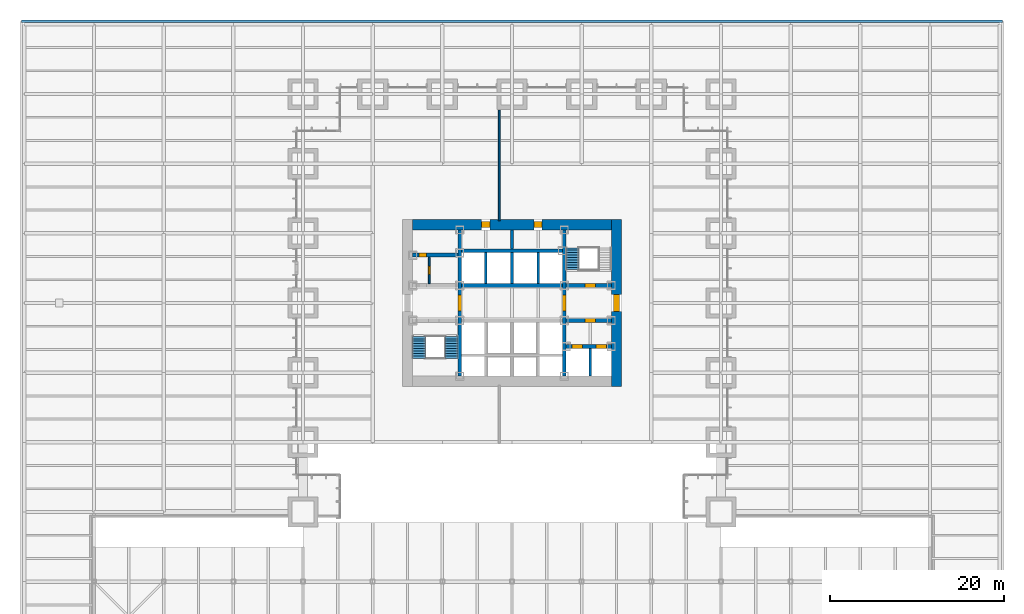
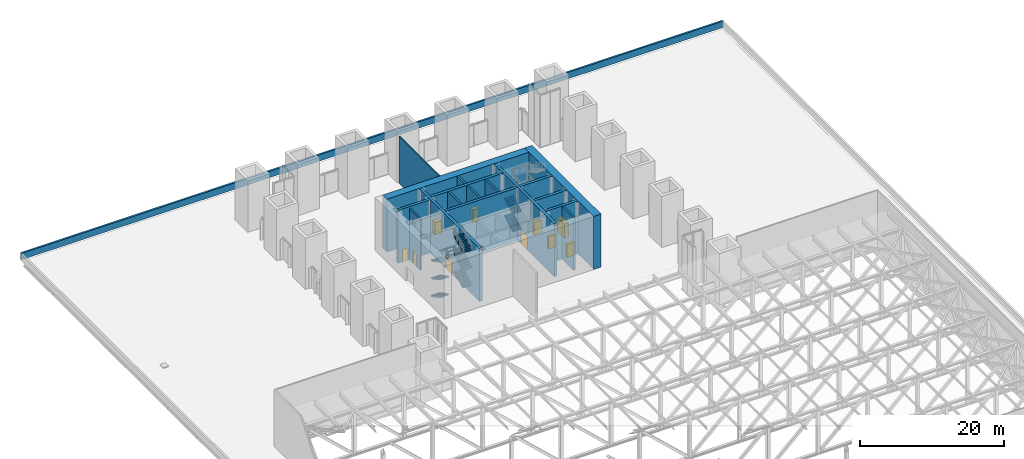
# One storey, part 17 of 20: 18 walls, 11 doors, 8 stair flights, 11 openings, 2 elements without a shape of their own.
"""IFC4 building model written with IfcOpenShell, lengths in metres."""

from ifc_helpers import new_model, si_unit, direction, frame, frame_2d, origin, place, context, subcontext, project, spatial, polyline, rectangle, outline, extrude, material, layer, layer_set, type_object, element, fill, aggregate, save


model = new_model("IFC4")

# Units and contexts
model_context = context("Model", 3, precision=1e-05, world=origin(), true_north=direction((0.0, 1.0)))
body_context = subcontext(model_context, "Body", "Model", "MODEL_VIEW")
ifc_project = project(units=[si_unit("LENGTHUNIT", "METRE"), si_unit("AREAUNIT", "SQUARE_METRE"), si_unit("VOLUMEUNIT", "CUBIC_METRE"), si_unit("PLANEANGLEUNIT", "RADIAN"), si_unit("MASSUNIT", "GRAM", prefix="KILO")], contexts=[model_context])

# Site, building, storey
site_placement = place(None, origin())
site = spatial("IfcSite", under=ifc_project, at=site_placement, CompositionType="ELEMENT")
building_placement = place(site_placement, origin())
building = spatial("IfcBuilding", under=site, at=building_placement, Name="Daluyong Arena Tower", CompositionType="ELEMENT")
storey_placement = place(building_placement, frame((0.0, 0.0, 25.89990234375)))
storey = spatial("IfcBuildingStorey", under=building, at=storey_placement, Name="L05", CompositionType="ELEMENT", Elevation=25.89990234375)

# Wall, opening, door
ifc_material_1 = material(Name="Concrete fc' 45 MPa", Category="concrete")
ifc_layer_1 = layer(ifc_material_1, 0.449951171875)
ifc_layer_set_1 = layer_set([ifc_layer_1], Name="Concrete fc' 45 MPa")
wall_type_1 = type_object("IfcWallType", Name="Core inner wall 450", PredefinedType="SHEAR", material=ifc_layer_set_1)
wall_1_placement = place(storey_placement, frame((50.0, 71.60009765625, 0.0), z_axis=(0.0, 0.0, 1.0), x_axis=(0.0, 1.0, 0.0)))
wall_1 = element("IfcWall", 1, at=wall_1_placement, inside=storey, type_object=wall_type_1, Name="core inner wall at L05", PredefinedType="SHEAR", context=body_context, shape_type="SweptSolid", body=[
    extrude(rectangle(XDim=16.7998046875, YDim=0.449951171875, at=frame_2d((8.39990234375, 0.0))), origin(), (0.0, 0.0, 1.0), 9.0),
])
opening_1_placement = place(wall_1_placement, frame((7.5, 0.0, 0.0)))
opening_1 = element("IfcOpeningElement", 2, at=opening_1_placement, cuts=wall_1, Name="Opening 05010", PredefinedType="OPENING", context=body_context, shape_type="SweptSolid", body=[
    extrude(rectangle(XDim=1.800048828125, YDim=2.39990234375, at=frame_2d((0.89990234375, 1.199951171875))), frame((0.0, 0.23486328125, 0.0), z_axis=(0.0, -1.0, 0.0), x_axis=(1.0, 0.0, 0.0)), (0.0, 0.0, 1.0), 0.469970703125),
])
ifc_material_2 = material(Name="Steel door, fire rated", Category="steel")
door_type_1 = type_object("IfcDoorType", Name="Lift lobby opening door 1800", OperationType="DOUBLE_DOOR_SINGLE_SWING", PredefinedType="DOOR", material=ifc_material_2)
door_1_placement = place(opening_1_placement, origin())
door_1 = element("IfcDoor", 3, at=door_1_placement, inside=storey, type_object=door_type_1, Name="lift lobby door west 05010", OperationType="DOUBLE_DOOR_SINGLE_SWING", OverallHeight=2.39990234375, OverallWidth=1.800048828125, PredefinedType="DOOR", context=body_context, shape_type="SweptSolid", body=[
    extrude(rectangle(XDim=1.800048828125, YDim=2.39990234375, at=frame_2d((0.89990234375, 1.199951171875))), frame((0.0, 0.224609375, 0.0), z_axis=(0.0, -1.0, 0.0), x_axis=(1.0, 0.0, 0.0)), (0.0, 0.0, 1.0), 0.449462890625),
])
fill(opening_1, door_1)

wall_2_placement = place(storey_placement, frame((62.0, 71.60009765625, 0.0), z_axis=(0.0, 0.0, 1.0), x_axis=(0.0, 1.0, 0.0)))
wall_2 = element("IfcWall", 4, at=wall_2_placement, inside=storey, type_object=wall_type_1, Name="core inner wall at L05", PredefinedType="SHEAR", context=body_context, shape_type="SweptSolid", body=[
    extrude(rectangle(XDim=16.7998046875, YDim=0.449951171875, at=frame_2d((8.39990234375, 0.0))), origin(), (0.0, 0.0, 1.0), 9.0),
])
opening_2_placement = place(wall_2_placement, frame((7.5, 0.0, 0.0)))
opening_2 = element("IfcOpeningElement", 5, at=opening_2_placement, cuts=wall_2, Name="Opening 05011", PredefinedType="OPENING", context=body_context, shape_type="SweptSolid", body=[
    extrude(rectangle(XDim=1.800048828125, YDim=2.39990234375, at=frame_2d((0.89990234375, 1.199951171875))), frame((0.0, 0.23486328125, 0.0), z_axis=(0.0, -1.0, 0.0), x_axis=(1.0, 0.0, 0.0)), (0.0, 0.0, 1.0), 0.469970703125),
])
door_2_placement = place(opening_2_placement, origin())
door_2 = element("IfcDoor", 6, at=door_2_placement, inside=storey, type_object=door_type_1, Name="lift lobby door east 05011", OperationType="DOUBLE_DOOR_SINGLE_SWING", OverallHeight=2.39990234375, OverallWidth=1.800048828125, PredefinedType="DOOR", context=body_context, shape_type="SweptSolid", body=[
    extrude(rectangle(XDim=1.800048828125, YDim=2.39990234375, at=frame_2d((0.89990234375, 1.199951171875))), frame((0.0, 0.224609375, 0.0), z_axis=(0.0, -1.0, 0.0), x_axis=(1.0, 0.0, 0.0)), (0.0, 0.0, 1.0), 0.449462890625),
])
fill(opening_2, door_2)

wall_3_placement = place(storey_placement, frame((44.60009765625, 85.5, 0.0), z_axis=(0.0, 0.0, 1.0), x_axis=(1.0, 0.0, 0.0)))
wall_3 = element("IfcWall", 7, at=wall_3_placement, inside=storey, type_object=wall_type_1, Name="core inner wall at L05", PredefinedType="SHEAR", context=body_context, shape_type="SweptSolid", body=[
    extrude(rectangle(XDim=5.1748046875, YDim=0.449951171875, at=frame_2d((2.58740234375, 0.0))), origin(), (0.0, 0.0, 1.0), 9.0),
])
opening_3_placement = place(wall_3_placement, frame((0.699951171875, 0.0, 0.0)))
opening_3 = element("IfcOpeningElement", 8, at=opening_3_placement, cuts=wall_3, Name="Opening 05003", PredefinedType="OPENING", context=body_context, shape_type="SweptSolid", body=[
    extrude(rectangle(XDim=0.89990234375, YDim=2.10009765625, at=frame_2d((0.449951171875, 1.050048828125))), frame((0.0, 0.23486328125, 0.0), z_axis=(0.0, -1.0, 0.0), x_axis=(1.0, 0.0, 0.0)), (0.0, 0.0, 1.0), 0.469970703125),
])
ifc_material_3 = material(Name="Timber door", Category="wood")
door_type_2 = type_object("IfcDoorType", Name="Toilet door 900", OperationType="SINGLE_SWING_RIGHT", PredefinedType="DOOR", material=ifc_material_3)
door_3_placement = place(opening_3_placement, origin())
door_3 = element("IfcDoor", 9, at=door_3_placement, inside=storey, type_object=door_type_2, Name="female toilet door 05003", OperationType="SINGLE_SWING_RIGHT", OverallHeight=2.10009765625, OverallWidth=0.89990234375, PredefinedType="DOOR", context=body_context, shape_type="SweptSolid", body=[
    extrude(rectangle(XDim=0.89990234375, YDim=2.10009765625, at=frame_2d((0.449951171875, 1.050048828125))), frame((0.0, 0.224609375, 0.0), z_axis=(0.0, -1.0, 0.0), x_axis=(1.0, 0.0, 0.0)), (0.0, 0.0, 1.0), 0.449462890625),
])
fill(opening_3, door_3)

# Wall, openings, doors
wall_4_placement = place(storey_placement, frame((62.22509765625, 75.0, 0.0), z_axis=(0.0, 0.0, 1.0), x_axis=(1.0, 0.0, 0.0)))
wall_4 = element("IfcWall", 10, at=wall_4_placement, inside=storey, type_object=wall_type_1, Name="core inner wall at L05", PredefinedType="SHEAR", context=body_context, shape_type="SweptSolid", body=[
    extrude(rectangle(XDim=5.1748046875, YDim=0.449951171875, at=frame_2d((2.58740234375, 0.0))), origin(), (0.0, 0.0, 1.0), 9.0),
])
opening_4_placement = place(wall_4_placement, frame((0.675048828125, 0.0, 0.0)))
opening_4 = element("IfcOpeningElement", 11, at=opening_4_placement, cuts=wall_4, Name="Opening 05013", PredefinedType="OPENING", context=body_context, shape_type="SweptSolid", body=[
    extrude(rectangle(XDim=1.199951171875, YDim=2.199951171875, at=frame_2d((0.60009765625, 1.10009765625))), frame((0.0, 0.23486328125, 0.0), z_axis=(0.0, -1.0, 0.0), x_axis=(1.0, 0.0, 0.0)), (0.0, 0.0, 1.0), 0.469970703125),
])
opening_5_placement = place(wall_4_placement, frame((3.425048828125, 0.0, 0.0)))
opening_5 = element("IfcOpeningElement", 12, at=opening_5_placement, cuts=wall_4, Name="Opening 05014", PredefinedType="OPENING", context=body_context, shape_type="SweptSolid", body=[
    extrude(rectangle(XDim=1.199951171875, YDim=2.199951171875, at=frame_2d((0.60009765625, 1.10009765625))), frame((0.0, 0.23486328125, 0.0), z_axis=(0.0, -1.0, 0.0), x_axis=(1.0, 0.0, 0.0)), (0.0, 0.0, 1.0), 0.469970703125),
])
ifc_material_4 = material(Name="Steel door, fire rated", Category="steel")
door_type_3 = type_object("IfcDoorType", Name="Firefighting lift landing door 1200", OperationType="SLIDING_TO_LEFT", PredefinedType="DOOR", material=ifc_material_4)
door_4_placement = place(opening_4_placement, origin())
door_4 = element("IfcDoor", 13, at=door_4_placement, inside=storey, type_object=door_type_3, Name="firefighting lift landing door F1 05013", OperationType="SLIDING_TO_LEFT", OverallHeight=2.199951171875, OverallWidth=1.199951171875, PredefinedType="DOOR", context=body_context, shape_type="SweptSolid", body=[
    extrude(rectangle(XDim=1.199951171875, YDim=2.199951171875, at=frame_2d((0.60009765625, 1.10009765625))), frame((0.0, 0.224609375, 0.0), z_axis=(0.0, -1.0, 0.0), x_axis=(1.0, 0.0, 0.0)), (0.0, 0.0, 1.0), 0.449462890625),
])
fill(opening_4, door_4)
door_5_placement = place(opening_5_placement, origin())
door_5 = element("IfcDoor", 14, at=door_5_placement, inside=storey, type_object=door_type_3, Name="firefighting lift landing door F2 05014", OperationType="SLIDING_TO_LEFT", OverallHeight=2.199951171875, OverallWidth=1.199951171875, PredefinedType="DOOR", context=body_context, shape_type="SweptSolid", body=[
    extrude(rectangle(XDim=1.199951171875, YDim=2.199951171875, at=frame_2d((0.60009765625, 1.10009765625))), frame((0.0, 0.224609375, 0.0), z_axis=(0.0, -1.0, 0.0), x_axis=(1.0, 0.0, 0.0)), (0.0, 0.0, 1.0), 0.449462890625),
])
fill(opening_5, door_5)

# Wall, opening, door
wall_5_placement = place(storey_placement, frame((62.22509765625, 78.0, 0.0), z_axis=(0.0, 0.0, 1.0), x_axis=(1.0, 0.0, 0.0)))
wall_5 = element("IfcWall", 15, at=wall_5_placement, inside=storey, type_object=wall_type_1, Name="core inner wall at L05", PredefinedType="SHEAR", context=body_context, shape_type="SweptSolid", body=[
    extrude(rectangle(XDim=5.1748046875, YDim=0.449951171875, at=frame_2d((2.58740234375, 0.0))), origin(), (0.0, 0.0, 1.0), 9.0),
])
opening_6_placement = place(wall_5_placement, frame((2.175048828125, 0.0, 0.0)))
opening_6 = element("IfcOpeningElement", 16, at=opening_6_placement, cuts=wall_5, Name="Opening 05012", PredefinedType="OPENING", context=body_context, shape_type="SweptSolid", body=[
    extrude(rectangle(XDim=1.199951171875, YDim=2.10009765625, at=frame_2d((0.60009765625, 1.050048828125))), frame((0.0, 0.23486328125, 0.0), z_axis=(0.0, -1.0, 0.0), x_axis=(1.0, 0.0, 0.0)), (0.0, 0.0, 1.0), 0.469970703125),
])
ifc_material_5 = material(Name="Steel door, fire rated", Category="steel")
door_type_4 = type_object("IfcDoorType", Name="Firefighting lobby door 1200", OperationType="SINGLE_SWING_RIGHT", PredefinedType="DOOR", material=ifc_material_5)
door_6_placement = place(opening_6_placement, origin())
door_6 = element("IfcDoor", 17, at=door_6_placement, inside=storey, type_object=door_type_4, Name="firefighting lobby door 05012", OperationType="SINGLE_SWING_RIGHT", OverallHeight=2.10009765625, OverallWidth=1.199951171875, PredefinedType="DOOR", context=body_context, shape_type="SweptSolid", body=[
    extrude(rectangle(XDim=1.199951171875, YDim=2.10009765625, at=frame_2d((0.60009765625, 1.050048828125))), frame((0.0, 0.224609375, 0.0), z_axis=(0.0, -1.0, 0.0), x_axis=(1.0, 0.0, 0.0)), (0.0, 0.0, 1.0), 0.449462890625),
])
fill(opening_6, door_6)

wall_6_placement = place(storey_placement, frame((62.22509765625, 82.0, 0.0), z_axis=(0.0, 0.0, 1.0), x_axis=(1.0, 0.0, 0.0)))
wall_6 = element("IfcWall", 18, at=wall_6_placement, inside=storey, type_object=wall_type_1, Name="core inner wall at L05", PredefinedType="SHEAR", context=body_context, shape_type="SweptSolid", body=[
    extrude(rectangle(XDim=5.1748046875, YDim=0.449951171875, at=frame_2d((2.58740234375, 0.0))), origin(), (0.0, 0.0, 1.0), 9.0),
])
opening_7_placement = place(wall_6_placement, frame((2.175048828125, 0.0, 0.0)))
opening_7 = element("IfcOpeningElement", 19, at=opening_7_placement, cuts=wall_6, Name="Opening 05007", PredefinedType="OPENING", context=body_context, shape_type="SweptSolid", body=[
    extrude(rectangle(XDim=1.199951171875, YDim=2.10009765625, at=frame_2d((0.60009765625, 1.050048828125))), frame((0.0, 0.23486328125, 0.0), z_axis=(0.0, -1.0, 0.0), x_axis=(1.0, 0.0, 0.0)), (0.0, 0.0, 1.0), 0.469970703125),
])
ifc_material_6 = material(Name="Steel door, fire rated", Category="steel")
door_type_5 = type_object("IfcDoorType", Name="Stair door 1200", OperationType="SINGLE_SWING_LEFT", PredefinedType="DOOR", material=ifc_material_6)
door_7_placement = place(opening_7_placement, origin())
door_7 = element("IfcDoor", 20, at=door_7_placement, inside=storey, type_object=door_type_5, Name="stair B door 05007", OperationType="SINGLE_SWING_LEFT", OverallHeight=2.10009765625, OverallWidth=1.199951171875, PredefinedType="DOOR", context=body_context, shape_type="SweptSolid", body=[
    extrude(rectangle(XDim=1.199951171875, YDim=2.10009765625, at=frame_2d((0.60009765625, 1.050048828125))), frame((0.0, 0.224609375, 0.0), z_axis=(0.0, -1.0, 0.0), x_axis=(1.0, 0.0, 0.0)), (0.0, 0.0, 1.0), 0.449462890625),
])
fill(opening_7, door_7)

# Walls
for number, where, z_axis, x_axis, name in (
    (21, (50.22509765625, 82.0, 0.0), (0.0, 0.0, 1.0), (1.0, 0.0, 0.0), "core inner wall at L05"),
    (22, (50.22509765625, 86.0, 0.0), (0.0, 0.0, 1.0), (1.0, 0.0, 0.0), "core inner wall at L05"),
):
    element("IfcWall", number, at=place(storey_placement, frame(where, z_axis=z_axis, x_axis=x_axis)), inside=storey, type_object=wall_type_1, Name=name, PredefinedType="SHEAR", context=body_context, shape_type="SweptSolid", body=[
        extrude(rectangle(XDim=11.5498046875, YDim=0.449951171875, at=frame_2d((5.77490234375, 0.0))), origin(), (0.0, 0.0, 1.0), 9.0),
    ])

# Wall, opening, door
ifc_material_7 = material(Name="Concrete fc' 60 MPa", Category="concrete")
ifc_layer_2 = layer(ifc_material_7, 1.199951171875)
ifc_layer_set_2 = layer_set([ifc_layer_2], Name="Concrete fc' 60 MPa")
wall_type_2 = type_object("IfcWallType", Name="Core wall 1200", PredefinedType="SHEAR", material=ifc_layer_set_2)
wall_7_placement = place(storey_placement, frame((68.0, 70.39990234375, 0.0), z_axis=(0.0, 0.0, 1.0), x_axis=(0.0, 1.0, 0.0)))
wall_7 = element("IfcWall", 23, at=wall_7_placement, inside=storey, type_object=wall_type_2, Name="core wall at L05", PredefinedType="SHEAR", context=body_context, shape_type="SweptSolid", body=[
    extrude(rectangle(XDim=19.2001953125, YDim=1.199951171875, at=frame_2d((9.60009765625, 0.0))), origin(), (0.0, 0.0, 1.0), 9.0),
])
opening_8_placement = place(wall_7_placement, frame((8.60009765625, 0.0, 0.0)))
opening_8 = element("IfcOpeningElement", 24, at=opening_8_placement, cuts=wall_7, Name="Opening 05009", PredefinedType="OPENING", context=body_context, shape_type="SweptSolid", body=[
    extrude(rectangle(XDim=2.0, YDim=2.39990234375, at=frame_2d((1.0, 1.199951171875))), frame((0.0, 0.60986328125, 0.0), z_axis=(0.0, -1.0, 0.0), x_axis=(1.0, 0.0, 0.0)), (0.0, 0.0, 1.0), 1.219970703125),
])
ifc_material_8 = material(Name="Steel door, fire rated", Category="steel")
door_type_6 = type_object("IfcDoorType", Name="Core lobby double door 2000", OperationType="DOUBLE_DOOR_SINGLE_SWING", PredefinedType="DOOR", material=ifc_material_8)
door_8_placement = place(opening_8_placement, origin())
door_8 = element("IfcDoor", 25, at=door_8_placement, inside=storey, type_object=door_type_6, Name="transfer level plant room door 05009", OperationType="DOUBLE_DOOR_SINGLE_SWING", OverallHeight=2.39990234375, OverallWidth=2.0, PredefinedType="DOOR", context=body_context, shape_type="SweptSolid", body=[
    extrude(rectangle(XDim=2.0, YDim=2.39990234375, at=frame_2d((1.0, 1.199951171875))), frame((0.0, 0.35009765625, 0.0), z_axis=(0.0, -1.0, 0.0), x_axis=(1.0, 0.0, 0.0)), (0.0, 0.0, 1.0), 0.699951171875),
])
fill(opening_8, door_8)

# Wall, openings, doors
wall_8_placement = place(storey_placement, frame((44.60009765625, 89.0, 0.0), z_axis=(0.0, 0.0, 1.0), x_axis=(1.0, 0.0, 0.0)))
wall_8 = element("IfcWall", 26, at=wall_8_placement, inside=storey, type_object=wall_type_2, Name="core wall at L05", PredefinedType="SHEAR", context=body_context, shape_type="SweptSolid", body=[
    extrude(rectangle(XDim=22.7998046875, YDim=1.199951171875, at=frame_2d((11.39990234375, 0.0))), origin(), (0.0, 0.0, 1.0), 9.0),
])
opening_9_placement = place(wall_8_placement, frame((7.89990234375, 0.0, 0.0)))
opening_9 = element("IfcOpeningElement", 27, at=opening_9_placement, cuts=wall_8, Name="Opening 05004", PredefinedType="OPENING", context=body_context, shape_type="SweptSolid", body=[
    extrude(rectangle(XDim=1.0, YDim=2.10009765625, at=frame_2d((0.5, 1.050048828125))), frame((0.0, 0.60986328125, 0.0), z_axis=(0.0, -1.0, 0.0), x_axis=(1.0, 0.0, 0.0)), (0.0, 0.0, 1.0), 1.219970703125),
])
opening_10_placement = place(wall_8_placement, frame((13.949951171875, 0.0, 0.0)))
opening_10 = element("IfcOpeningElement", 28, at=opening_10_placement, cuts=wall_8, Name="Opening 05005", PredefinedType="OPENING", context=body_context, shape_type="SweptSolid", body=[
    extrude(rectangle(XDim=0.89990234375, YDim=2.10009765625, at=frame_2d((0.449951171875, 1.050048828125))), frame((0.0, 0.60986328125, 0.0), z_axis=(0.0, -1.0, 0.0), x_axis=(1.0, 0.0, 0.0)), (0.0, 0.0, 1.0), 1.219970703125),
])
ifc_material_9 = material(Name="Timber door", Category="wood")
door_type_7 = type_object("IfcDoorType", Name="Accessible toilet door 1000", OperationType="SINGLE_SWING_LEFT", PredefinedType="DOOR", material=ifc_material_9)
door_9_placement = place(opening_9_placement, origin())
door_9 = element("IfcDoor", 29, at=door_9_placement, inside=storey, type_object=door_type_7, Name="accessible toilet door 05004", OperationType="SINGLE_SWING_LEFT", OverallHeight=2.10009765625, OverallWidth=1.0, PredefinedType="DOOR", context=body_context, shape_type="SweptSolid", body=[
    extrude(rectangle(XDim=1.0, YDim=2.10009765625, at=frame_2d((0.5, 1.050048828125))), frame((0.0, 0.35009765625, 0.0), z_axis=(0.0, -1.0, 0.0), x_axis=(1.0, 0.0, 0.0)), (0.0, 0.0, 1.0), 0.699951171875),
])
fill(opening_9, door_9)
ifc_material_10 = material(Name="Steel door, fire rated", Category="steel")
door_type_8 = type_object("IfcDoorType", Name="Riser door 900", OperationType="SINGLE_SWING_LEFT", PredefinedType="DOOR", material=ifc_material_10)
door_10_placement = place(opening_10_placement, origin())
door_10 = element("IfcDoor", 30, at=door_10_placement, inside=storey, type_object=door_type_8, Name="riser door 05005", OperationType="SINGLE_SWING_LEFT", OverallHeight=2.10009765625, OverallWidth=0.89990234375, PredefinedType="DOOR", context=body_context, shape_type="SweptSolid", body=[
    extrude(rectangle(XDim=0.89990234375, YDim=2.10009765625, at=frame_2d((0.449951171875, 1.050048828125))), frame((0.0, 0.35009765625, 0.0), z_axis=(0.0, -1.0, 0.0), x_axis=(1.0, 0.0, 0.0)), (0.0, 0.0, 1.0), 0.699951171875),
])
fill(opening_10, door_10)

# Wall, opening, door
ifc_material_11 = material(Name="Concrete block partition, fire rated", Category="concrete")
ifc_layer_3 = layer(ifc_material_11, 0.199951171875)
ifc_layer_set_3 = layer_set([ifc_layer_3], Name="Concrete block partition, fire rated")
wall_type_3 = type_object("IfcWallType", Name="Fire-rated partition 200", PredefinedType="PARTITIONING", material=ifc_layer_set_3)
wall_9_placement = place(storey_placement, frame((46.5, 82.22509765625, 0.0), z_axis=(0.0, 0.0, 1.0), x_axis=(0.0, 1.0, 0.0)))
wall_9 = element("IfcWall", 31, at=wall_9_placement, inside=storey, type_object=wall_type_3, Name="toilet lobby partition at L05", PredefinedType="PARTITIONING", context=body_context, shape_type="SweptSolid", body=[
    extrude(rectangle(XDim=3.0498046875, YDim=0.199951171875, at=frame_2d((1.52490234375, 0.0))), origin(), (0.0, 0.0, 1.0), 8.7001953125),
])
opening_11_placement = place(wall_9_placement, frame((1.074951171875, 0.0, 0.0)))
opening_11 = element("IfcOpeningElement", 32, at=opening_11_placement, cuts=wall_9, Name="Opening 05002", PredefinedType="OPENING", context=body_context, shape_type="SweptSolid", body=[
    extrude(rectangle(XDim=0.89990234375, YDim=2.10009765625, at=frame_2d((0.449951171875, 1.050048828125))), frame((0.0, 0.10986328125, 0.0), z_axis=(0.0, -1.0, 0.0), x_axis=(1.0, 0.0, 0.0)), (0.0, 0.0, 1.0), 0.219970703125),
])
door_11_placement = place(opening_11_placement, origin())
door_11 = element("IfcDoor", 33, at=door_11_placement, inside=storey, type_object=door_type_2, Name="male toilet door 05002", OperationType="SINGLE_SWING_RIGHT", OverallHeight=2.10009765625, OverallWidth=0.89990234375, PredefinedType="DOOR", context=body_context, shape_type="SweptSolid", body=[
    extrude(rectangle(XDim=0.89990234375, YDim=2.10009765625, at=frame_2d((0.449951171875, 1.050048828125))), frame((0.0, 0.099609375, 0.0), z_axis=(0.0, -1.0, 0.0), x_axis=(1.0, 0.0, 0.0)), (0.0, 0.0, 1.0), 0.199462890625),
])
fill(opening_11, door_11)

# Walls
wall_10_placement = place(storey_placement, frame((54.53857421875, 89.449951171875, 0.0), z_axis=(0.0, 0.0, 1.0), x_axis=(0.0, 1.0, 0.0)))
element("IfcWall", 34, at=wall_10_placement, inside=storey, type_object=wall_type_3, Name="refuge separation wall at L05", PredefinedType="PARTITIONING", context=body_context, shape_type="SweptSolid", body=[
    extrude(rectangle(XDim=12.699951171875, YDim=0.199951171875, at=frame_2d((6.35009765625, 0.0))), origin(), (0.0, 0.0, 1.0), 7.927978515625),
])
ifc_material_12 = material(Name="Concrete fc' 45 MPa", Category="concrete")
ifc_layer_4 = layer(ifc_material_12, 0.300048828125)
ifc_layer_set_4 = layer_set([ifc_layer_4], Name="Concrete fc' 45 MPa")
wall_type_4 = type_object("IfcWallType", Name="Lift shaft wall 300", PredefinedType="SHEAR", material=ifc_layer_set_4)
for number, where, z_axis, x_axis, name in (
    (35, (53.0, 82.22509765625, 0.0), (0.0, 0.0, 1.0), (0.0, 1.0, 0.0), "lift shaft wall at L05"),
    (36, (56.0, 82.22509765625, 0.0), (0.0, 0.0, 1.0), (0.0, 1.0, 0.0), "lift shaft wall at L05"),
    (37, (59.0, 82.22509765625, 0.0), (0.0, 0.0, 1.0), (0.0, 1.0, 0.0), "lift shaft wall at L05"),
):
    element("IfcWall", number, at=place(storey_placement, frame(where, z_axis=z_axis, x_axis=x_axis)), inside=storey, type_object=wall_type_4, Name=name, PredefinedType="SHEAR", context=body_context, shape_type="SweptSolid", body=[
        extrude(rectangle(XDim=3.5498046875, YDim=0.300048828125, at=frame_2d((1.77490234375, 0.0))), origin(), (0.0, 0.0, 1.0), 9.0),
    ])
wall_11_placement = place(storey_placement, frame((65.0, 71.60009765625, 0.0), z_axis=(0.0, 0.0, 1.0), x_axis=(0.0, 1.0, 0.0)))
element("IfcWall", 38, at=wall_11_placement, inside=storey, type_object=wall_type_4, Name="lift shaft wall at L05", PredefinedType="SHEAR", context=body_context, shape_type="SweptSolid", body=[
    extrude(rectangle(XDim=3.1748046875, YDim=0.300048828125, at=frame_2d((1.58740234375, 0.0))), origin(), (0.0, 0.0, 1.0), 9.0),
])
wall_12_placement = place(storey_placement, frame((56.0, 86.22509765625, 0.0), z_axis=(0.0, 0.0, 1.0), x_axis=(0.0, 1.0, 0.0)))
element("IfcWall", 39, at=wall_12_placement, inside=storey, type_object=wall_type_4, Name="lift shaft wall at L05", PredefinedType="SHEAR", context=body_context, shape_type="SweptSolid", body=[
    extrude(rectangle(XDim=2.1748046875, YDim=0.300048828125, at=frame_2d((1.08740234375, 0.0))), origin(), (0.0, 0.0, 1.0), 9.0),
])
ifc_material_13 = material(Name="Precast concrete fc' 45 MPa", Category="concrete")
ifc_layer_5 = layer(ifc_material_13, 0.300048828125)
ifc_layer_set_5 = layer_set([ifc_layer_5], Name="Precast concrete fc' 45 MPa")
wall_type_5 = type_object("IfcWallType", Name="Podium parapet 300", PredefinedType="PARAPET", material=ifc_layer_set_5)
wall_13_placement = place(storey_placement, frame((112.35009765625, 112.35009765625, 0.0), z_axis=(0.0, 0.0, 1.0), x_axis=(-1.0, 0.0, 0.0)))
element("IfcWall", 40, at=wall_13_placement, inside=storey, type_object=wall_type_5, Name="podium roof parapet N", PredefinedType="PARAPET", context=body_context, shape_type="SweptSolid", body=[
    extrude(rectangle(XDim=112.7001953125, YDim=0.300048828125, at=frame_2d((56.35009765625, 0.0))), origin(), (0.0, 0.0, 1.0), 1.10009765625),
])

# Stair, stair flights
ifc_material_14 = material(Name="Concrete fc' 35 MPa", Category="concrete")
stair_type = type_object("IfcStairType", Name="Core exit stair", PredefinedType="HALF_TURN_STAIR", material=ifc_material_14)
stair_1_placement = place(storey_placement, origin())
stair_1 = element("IfcStair", 41, at=stair_1_placement, inside=storey, type_object=stair_type, Name="exit stair A L05", PredefinedType="HALF_TURN_STAIR")
ifc_material_15 = material(Name="Concrete fc' 35 MPa", Category="concrete")
stair_flight_type = type_object("IfcStairFlightType", Name="Core stair flight", PredefinedType="STRAIGHT", material=ifc_material_15)
stair_flight_1_placement = place(storey_placement, frame((45.324951171875, 76.175048828125, 0.0), z_axis=(0.0, 0.0, 1.0), x_axis=(0.0, -1.0, 0.0)))
stair_flight_1 = element("IfcStairFlight", 42, at=stair_flight_1_placement, type_object=stair_flight_type, Name="STA flight 1", NumberOfRisers=10, NumberOfTreads=9, PredefinedType="STRAIGHT", RiserHeight=0.15, TreadLength=0.28, context=body_context, shape_type="SweptSolid", body=[
    extrude(outline(polyline([(0.0, 0.0), (0.0, 0.14990234375), (0.280029296875, 0.14990234375), (0.280029296875, 0.300048828125), (0.56005859375, 0.300048828125), (0.56005859375, 0.449951171875), (0.840087890625, 0.449951171875), (0.840087890625, 0.60009765625), (1.1201171875, 0.60009765625), (1.1201171875, 0.75), (1.39990234375, 0.75), (1.39990234375, 0.89990234375), (1.679931640625, 0.89990234375), (1.679931640625, 1.050048828125), (1.9599609375, 1.050048828125), (1.9599609375, 1.199951171875), (2.239990234375, 1.199951171875), (2.239990234375, 1.35009765625), (2.52001953125, 1.35009765625), (2.52001953125, 1.5), (2.52001953125, 1.179931640625), (0.3173828125, 0.0), (0.0, 0.0)])), frame((0.0, 0.72509765625, 0.0), z_axis=(0.0, -1.0, 0.0), x_axis=(1.0, 0.0, 0.0)), (0.0, 0.0, 1.0), 1.449951171875),
])
stair_flight_2_placement = place(storey_placement, frame((49.050048828125, 73.655029296875, 1.5), z_axis=(0.0, 0.0, 1.0), x_axis=(0.0, 1.0, 0.0)))
stair_flight_2 = element("IfcStairFlight", 43, at=stair_flight_2_placement, type_object=stair_flight_type, Name="STA flight 2", NumberOfRisers=10, NumberOfTreads=9, PredefinedType="STRAIGHT", RiserHeight=0.15, TreadLength=0.28, context=body_context, shape_type="SweptSolid", body=[
    extrude(outline(polyline([(0.0, 0.0), (0.0, 0.14990234375), (0.280029296875, 0.14990234375), (0.280029296875, 0.300048828125), (0.56005859375, 0.300048828125), (0.56005859375, 0.449951171875), (0.840087890625, 0.449951171875), (0.840087890625, 0.60009765625), (1.1201171875, 0.60009765625), (1.1201171875, 0.75), (1.39990234375, 0.75), (1.39990234375, 0.89990234375), (1.679931640625, 0.89990234375), (1.679931640625, 1.050048828125), (1.9599609375, 1.050048828125), (1.9599609375, 1.199951171875), (2.239990234375, 1.199951171875), (2.239990234375, 1.35009765625), (2.52001953125, 1.35009765625), (2.52001953125, 1.5), (2.52001953125, 1.179931640625), (0.3173828125, 0.0), (0.0, 0.0)])), frame((0.0, 0.72509765625, 0.0), z_axis=(0.0, -1.0, 0.0), x_axis=(1.0, 0.0, 0.0)), (0.0, 0.0, 1.0), 1.449951171875),
])
stair_flight_3_placement = place(storey_placement, frame((45.324951171875, 76.175048828125, 3.0), z_axis=(0.0, 0.0, 1.0), x_axis=(0.0, -1.0, 0.0)))
stair_flight_3 = element("IfcStairFlight", 44, at=stair_flight_3_placement, type_object=stair_flight_type, Name="STA flight 3", NumberOfRisers=10, NumberOfTreads=9, PredefinedType="STRAIGHT", RiserHeight=0.15, TreadLength=0.28, context=body_context, shape_type="SweptSolid", body=[
    extrude(outline(polyline([(0.0, 0.0), (0.0, 0.14990234375), (0.280029296875, 0.14990234375), (0.280029296875, 0.300048828125), (0.56005859375, 0.300048828125), (0.56005859375, 0.449951171875), (0.840087890625, 0.449951171875), (0.840087890625, 0.60009765625), (1.1201171875, 0.60009765625), (1.1201171875, 0.75), (1.39990234375, 0.75), (1.39990234375, 0.89990234375), (1.679931640625, 0.89990234375), (1.679931640625, 1.050048828125), (1.9599609375, 1.050048828125), (1.9599609375, 1.199951171875), (2.239990234375, 1.199951171875), (2.239990234375, 1.35009765625), (2.52001953125, 1.35009765625), (2.52001953125, 1.5), (2.52001953125, 1.179931640625), (0.3173828125, 0.0), (0.0, 0.0)])), frame((0.0, 0.72509765625, 0.0), z_axis=(0.0, -1.0, 0.0), x_axis=(1.0, 0.0, 0.0)), (0.0, 0.0, 1.0), 1.449951171875),
])
stair_flight_4_placement = place(storey_placement, frame((49.050048828125, 73.655029296875, 4.5), z_axis=(0.0, 0.0, 1.0), x_axis=(0.0, 1.0, 0.0)))
stair_flight_4 = element("IfcStairFlight", 45, at=stair_flight_4_placement, type_object=stair_flight_type, Name="STA flight 4", NumberOfRisers=10, NumberOfTreads=9, PredefinedType="STRAIGHT", RiserHeight=0.15, TreadLength=0.28, context=body_context, shape_type="SweptSolid", body=[
    extrude(outline(polyline([(0.0, 0.0), (0.0, 0.14990234375), (0.280029296875, 0.14990234375), (0.280029296875, 0.300048828125), (0.56005859375, 0.300048828125), (0.56005859375, 0.449951171875), (0.840087890625, 0.449951171875), (0.840087890625, 0.60009765625), (1.1201171875, 0.60009765625), (1.1201171875, 0.75), (1.39990234375, 0.75), (1.39990234375, 0.89990234375), (1.679931640625, 0.89990234375), (1.679931640625, 1.050048828125), (1.9599609375, 1.050048828125), (1.9599609375, 1.199951171875), (2.239990234375, 1.199951171875), (2.239990234375, 1.35009765625), (2.52001953125, 1.35009765625), (2.52001953125, 1.5), (2.52001953125, 1.179931640625), (0.3173828125, 0.0), (0.0, 0.0)])), frame((0.0, 0.72509765625, 0.0), z_axis=(0.0, -1.0, 0.0), x_axis=(1.0, 0.0, 0.0)), (0.0, 0.0, 1.0), 1.449951171875),
])
stair_flight_5_placement = place(storey_placement, frame((45.324951171875, 76.175048828125, 6.0), z_axis=(0.0, 0.0, 1.0), x_axis=(0.0, -1.0, 0.0)))
stair_flight_5 = element("IfcStairFlight", 46, at=stair_flight_5_placement, type_object=stair_flight_type, Name="STA flight 5", NumberOfRisers=10, NumberOfTreads=9, PredefinedType="STRAIGHT", RiserHeight=0.15, TreadLength=0.28, context=body_context, shape_type="SweptSolid", body=[
    extrude(outline(polyline([(0.0, 0.0), (0.0, 0.14990234375), (0.280029296875, 0.14990234375), (0.280029296875, 0.300048828125), (0.56005859375, 0.300048828125), (0.56005859375, 0.449951171875), (0.840087890625, 0.449951171875), (0.840087890625, 0.60009765625), (1.1201171875, 0.60009765625), (1.1201171875, 0.75), (1.39990234375, 0.75), (1.39990234375, 0.89990234375), (1.679931640625, 0.89990234375), (1.679931640625, 1.050048828125), (1.9599609375, 1.050048828125), (1.9599609375, 1.199951171875), (2.239990234375, 1.199951171875), (2.239990234375, 1.35009765625), (2.52001953125, 1.35009765625), (2.52001953125, 1.5), (2.52001953125, 1.179931640625), (0.3173828125, 0.0), (0.0, 0.0)])), frame((0.0, 0.72509765625, 0.0), z_axis=(0.0, -1.0, 0.0), x_axis=(1.0, 0.0, 0.0)), (0.0, 0.0, 1.0), 1.449951171875),
])
stair_flight_6_placement = place(storey_placement, frame((49.050048828125, 73.655029296875, 7.5), z_axis=(0.0, 0.0, 1.0), x_axis=(0.0, 1.0, 0.0)))
stair_flight_6 = element("IfcStairFlight", 47, at=stair_flight_6_placement, type_object=stair_flight_type, Name="STA flight 6", NumberOfRisers=10, NumberOfTreads=9, PredefinedType="STRAIGHT", RiserHeight=0.15, TreadLength=0.28, context=body_context, shape_type="SweptSolid", body=[
    extrude(outline(polyline([(0.0, 0.0), (0.0, 0.14990234375), (0.280029296875, 0.14990234375), (0.280029296875, 0.300048828125), (0.56005859375, 0.300048828125), (0.56005859375, 0.449951171875), (0.840087890625, 0.449951171875), (0.840087890625, 0.60009765625), (1.1201171875, 0.60009765625), (1.1201171875, 0.75), (1.39990234375, 0.75), (1.39990234375, 0.89990234375), (1.679931640625, 0.89990234375), (1.679931640625, 1.050048828125), (1.9599609375, 1.050048828125), (1.9599609375, 1.199951171875), (2.239990234375, 1.199951171875), (2.239990234375, 1.35009765625), (2.52001953125, 1.35009765625), (2.52001953125, 1.5), (2.52001953125, 1.179931640625), (0.3173828125, 0.0), (0.0, 0.0)])), frame((0.0, 0.72509765625, 0.0), z_axis=(0.0, -1.0, 0.0), x_axis=(1.0, 0.0, 0.0)), (0.0, 0.0, 1.0), 1.449951171875),
])
aggregate(stair_1, [stair_flight_1, stair_flight_2, stair_flight_3, stair_flight_4, stair_flight_5, stair_flight_6])

stair_2_placement = place(storey_placement, origin())
stair_2 = element("IfcStair", 48, at=stair_2_placement, inside=storey, type_object=stair_type, Name="exit stair B L05", PredefinedType="HALF_TURN_STAIR")
stair_flight_7_placement = place(storey_placement, frame((62.949951171875, 83.824951171875, 0.0), z_axis=(0.0, 0.0, 1.0), x_axis=(0.0, 1.0, 0.0)))
stair_flight_7 = element("IfcStairFlight", 49, at=stair_flight_7_placement, type_object=stair_flight_type, Name="STB flight 1", NumberOfRisers=10, NumberOfTreads=9, PredefinedType="STRAIGHT", RiserHeight=0.15, TreadLength=0.28, context=body_context, shape_type="SweptSolid", body=[
    extrude(outline(polyline([(0.0, 0.0), (0.0, 0.14990234375), (0.280029296875, 0.14990234375), (0.280029296875, 0.300048828125), (0.56005859375, 0.300048828125), (0.56005859375, 0.449951171875), (0.840087890625, 0.449951171875), (0.840087890625, 0.60009765625), (1.1201171875, 0.60009765625), (1.1201171875, 0.75), (1.39990234375, 0.75), (1.39990234375, 0.89990234375), (1.679931640625, 0.89990234375), (1.679931640625, 1.050048828125), (1.9599609375, 1.050048828125), (1.9599609375, 1.199951171875), (2.239990234375, 1.199951171875), (2.239990234375, 1.35009765625), (2.52001953125, 1.35009765625), (2.52001953125, 1.5), (2.52001953125, 1.179931640625), (0.3173828125, 0.0), (0.0, 0.0)])), frame((0.0, 0.72509765625, 0.0), z_axis=(0.0, -1.0, 0.0), x_axis=(1.0, 0.0, 0.0)), (0.0, 0.0, 1.0), 1.449951171875),
])
stair_flight_8_placement = place(storey_placement, frame((62.949951171875, 83.824951171875, 3.0), z_axis=(0.0, 0.0, 1.0), x_axis=(0.0, 1.0, 0.0)))
stair_flight_8 = element("IfcStairFlight", 50, at=stair_flight_8_placement, type_object=stair_flight_type, Name="STB flight 3", NumberOfRisers=10, NumberOfTreads=9, PredefinedType="STRAIGHT", RiserHeight=0.15, TreadLength=0.28, context=body_context, shape_type="SweptSolid", body=[
    extrude(outline(polyline([(0.0, 0.0), (0.0, 0.14990234375), (0.280029296875, 0.14990234375), (0.280029296875, 0.300048828125), (0.56005859375, 0.300048828125), (0.56005859375, 0.449951171875), (0.840087890625, 0.449951171875), (0.840087890625, 0.60009765625), (1.1201171875, 0.60009765625), (1.1201171875, 0.75), (1.39990234375, 0.75), (1.39990234375, 0.89990234375), (1.679931640625, 0.89990234375), (1.679931640625, 1.050048828125), (1.9599609375, 1.050048828125), (1.9599609375, 1.199951171875), (2.239990234375, 1.199951171875), (2.239990234375, 1.35009765625), (2.52001953125, 1.35009765625), (2.52001953125, 1.5), (2.52001953125, 1.179931640625), (0.3173828125, 0.0), (0.0, 0.0)])), frame((0.0, 0.72509765625, 0.0), z_axis=(0.0, -1.0, 0.0), x_axis=(1.0, 0.0, 0.0)), (0.0, 0.0, 1.0), 1.449951171875),
])
aggregate(stair_2, [stair_flight_7, stair_flight_8])

save(model, "model.ifc")
